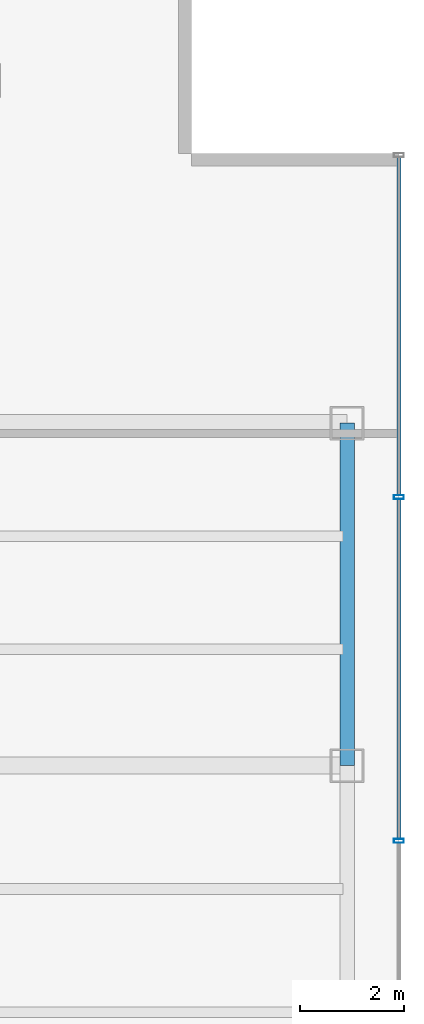
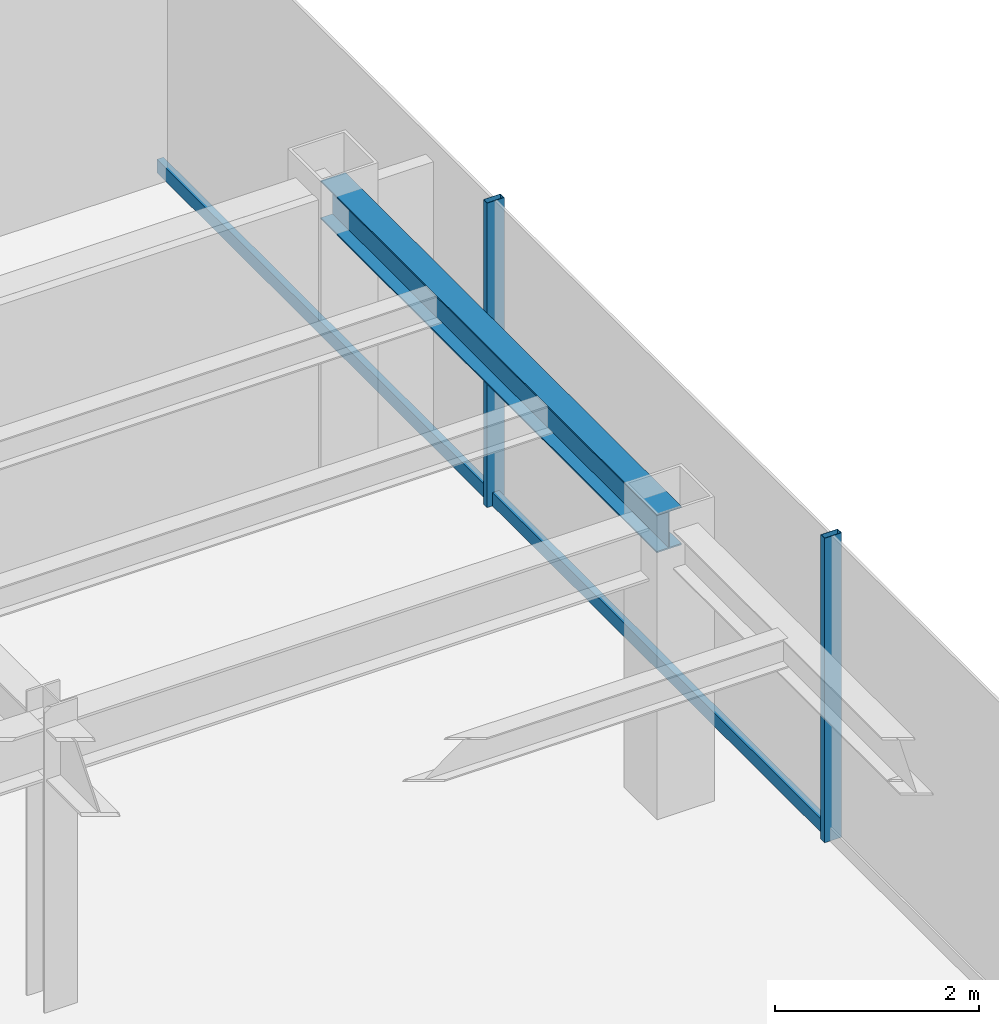
# One storey, part 13 of 25: 4 members, 1 beam, 1 element without a shape of its own.
"""IFC4 building model written with IfcOpenShell, lengths in metres."""

from ifc_helpers import new_model, si_unit, derived_unit, direction, frame, origin, origin_2d, place, context, subcontext, project, spatial, hollow_rectangle, i_section, extrude, source, transform, mapped, material, material_profile, profile_set, type_object, element, aggregate, save


model = new_model("IFC4")

# Units and contexts
model_context = context("Model", 3, precision=1e-05, world=origin(), true_north=direction((0.0, 1.0)))
body_context = subcontext(model_context, "Body", "Model", "MODEL_VIEW")
ifc_project = project(units=[si_unit("LENGTHUNIT", "METRE"), si_unit("AREAUNIT", "SQUARE_METRE"), si_unit("VOLUMEUNIT", "CUBIC_METRE"), si_unit("PLANEANGLEUNIT", "RADIAN"), si_unit("MASSUNIT", "GRAM", prefix="KILO"), derived_unit("THERMALTRANSMITTANCEUNIT", [(si_unit("POWERUNIT", "WATT"), 1), (si_unit("LENGTHUNIT", "METRE"), -2), (si_unit("THERMODYNAMICTEMPERATUREUNIT", "KELVIN"), -1)])], contexts=[model_context])

# Site, building, storey
site_placement = place(None, origin())
site = spatial("IfcSite", under=ifc_project, at=site_placement, CompositionType="ELEMENT")
building_placement = place(site_placement, origin())
building = spatial("IfcBuilding", under=site, at=building_placement, Name="Skarnbrae Concourse Arena and Tower", CompositionType="ELEMENT")
storey_placement = place(building_placement, frame((0.0, 0.0, 144.25)))
storey = spatial("IfcBuildingStorey", under=building, at=storey_placement, Name="L36", CompositionType="ELEMENT", Elevation=144.25)

# Beam
ifc_material_1 = material(Name="Steel CSA G40.21 350W", Category="steel")
ifc_material_profile_1 = material_profile(ifc_material_1, i_section(OverallWidth=0.280029296875, OverallDepth=0.462890625, WebThickness=0.0107421875, FlangeThickness=0.017333984375, at=origin_2d()), Name="W460X113")
ifc_profile_set_1 = profile_set([ifc_material_profile_1], Name="Steel CSA G40.21 350W")
beam_type = type_object("IfcBeamType", Name="BM-SPAN-W460X113", PredefinedType="SPANDREL", material=ifc_profile_set_1)
shared_shape_1 = source(origin(), body_context, "Body", "SweptSolid", [
    extrude(i_section(OverallWidth=0.280029296875, OverallDepth=0.462890625, WebThickness=0.0107421875, FlangeThickness=0.017333984375, at=origin_2d()), origin(), (0.0, 0.0, 1.0), 6.60009765625),
])
beam_placement = place(storey_placement, frame((49.0, 21.199951171875, 3.16845703125), z_axis=(0.0, 1.0, 0.0), x_axis=(-1.0, 0.0, 0.0)))
element("IfcBeam", 1, at=beam_placement, inside=storey, type_object=beam_type, Name="L36 Perimeter spandrel X49.0-3", PredefinedType="SPANDREL", context=body_context, shape_type="MappedRepresentation", body=[
    mapped(shared_shape_1, transform((0.0, 0.0, 0.0))),
])

# Curtain wall, members
ifc_material_2 = material(Name="Bronze anodised aluminium 6063-T6", Category="aluminium")
curtain_wall_type = type_object("IfcCurtainWallType", Name="CW-SYS-04-MIDZONE", PredefinedType="USERDEFINED", material=ifc_material_2)
curtain_wall_placement = place(storey_placement, origin())
curtain_wall = element("IfcCurtainWall", 2, at=curtain_wall_placement, inside=storey, type_object=curtain_wall_type, Name="L36 Unitised curtain wall CW-L36-E04", ObjectType="UNITISED CURTAIN WALL", PredefinedType="USERDEFINED")
ifc_material_profile_2 = material_profile(ifc_material_2, hollow_rectangle(XDim=0.074951171875, YDim=0.195068359375, WallThickness=0.00439453125, at=origin_2d()), Name="ALU-MULL-75X195")
ifc_profile_set_2 = profile_set([ifc_material_profile_2], Name="Bronze anodised aluminium 6063-T6")
member_type_1 = type_object("IfcMemberType", Name="CWM-CW-04", PredefinedType="MULLION", material=ifc_profile_set_2)
shared_shape_2 = source(origin(), body_context, "Body", "SweptSolid", [
    extrude(hollow_rectangle(XDim=0.074951171875, YDim=0.195068359375, WallThickness=0.00439453125, at=origin_2d()), origin(), (0.0, 0.0, 1.0), 3.64990234375),
])
member_1_placement = place(storey_placement, frame((50.0, 19.75, 0.0), z_axis=(0.0, 0.0, 1.0), x_axis=(0.0, 1.0, 0.0)))
member_1 = element("IfcMember", 3, at=member_1_placement, type_object=member_type_1, Name="CW-L36-E04 Mullion 3", PredefinedType="MULLION", context=body_context, shape_type="MappedRepresentation", body=[
    mapped(shared_shape_2, transform((0.0, 0.0, 0.0))),
])
member_2_placement = place(storey_placement, frame((50.0, 26.375, 0.0), z_axis=(0.0, 0.0, 1.0), x_axis=(0.0, 1.0, 0.0)))
member_2 = element("IfcMember", 4, at=member_2_placement, type_object=member_type_1, Name="CW-L36-E04 Mullion 4", PredefinedType="MULLION", context=body_context, shape_type="MappedRepresentation", body=[
    mapped(shared_shape_2, transform((0.0, 0.0, 0.0))),
])
ifc_material_profile_3 = material_profile(ifc_material_2, hollow_rectangle(XDim=0.074951171875, YDim=0.159912109375, WallThickness=0.00439453125, at=origin_2d()), Name="ALU-TRAN-75X160")
ifc_profile_set_3 = profile_set([ifc_material_profile_3], Name="Bronze anodised aluminium 6063-T6")
member_type_2 = type_object("IfcMemberType", Name="CWT-CW-04", PredefinedType="USERDEFINED", material=ifc_profile_set_3)
shared_shape_3 = source(origin(), body_context, "Body", "SweptSolid", [
    extrude(hollow_rectangle(XDim=0.074951171875, YDim=0.159912109375, WallThickness=0.00439453125, at=origin_2d()), origin(), (0.0, 0.0, 1.0), 6.512451171875),
])
member_3_placement = place(storey_placement, frame((50.0, 26.41259765625, 0.080078125), z_axis=(0.0, 1.0, 0.0), x_axis=(-1.0, 0.0, 0.0)))
member_3 = element("IfcMember", 5, at=member_3_placement, type_object=member_type_2, Name="CW-L36-E04 Transom 4", ObjectType="TRANSOM", PredefinedType="USERDEFINED", context=body_context, shape_type="MappedRepresentation", body=[
    mapped(shared_shape_3, transform((0.0, 0.0, 0.0))),
])
shared_shape_4 = source(origin(), body_context, "Body", "SweptSolid", [
    extrude(hollow_rectangle(XDim=0.074951171875, YDim=0.159912109375, WallThickness=0.00439453125, at=origin_2d()), origin(), (0.0, 0.0, 1.0), 6.5498046875),
])
member_4_placement = place(storey_placement, frame((50.0, 19.78759765625, 0.080078125), z_axis=(0.0, 1.0, 0.0), x_axis=(-1.0, 0.0, 0.0)))
member_4 = element("IfcMember", 6, at=member_4_placement, type_object=member_type_2, Name="CW-L36-E04 Transom 3", ObjectType="TRANSOM", PredefinedType="USERDEFINED", context=body_context, shape_type="MappedRepresentation", body=[
    mapped(shared_shape_4, transform((0.0, 0.0, 0.0))),
])
aggregate(curtain_wall, [member_1, member_2, member_4, member_3])

save(model, "model.ifc")
